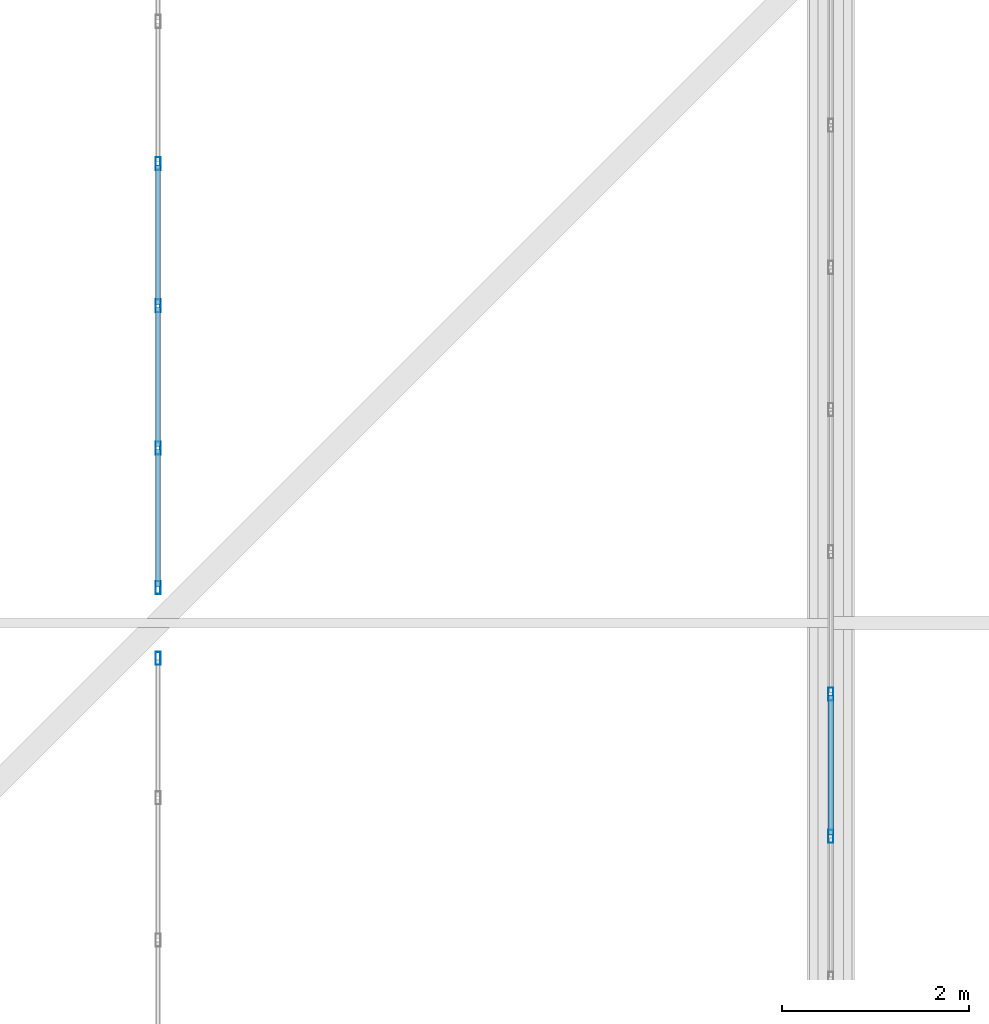
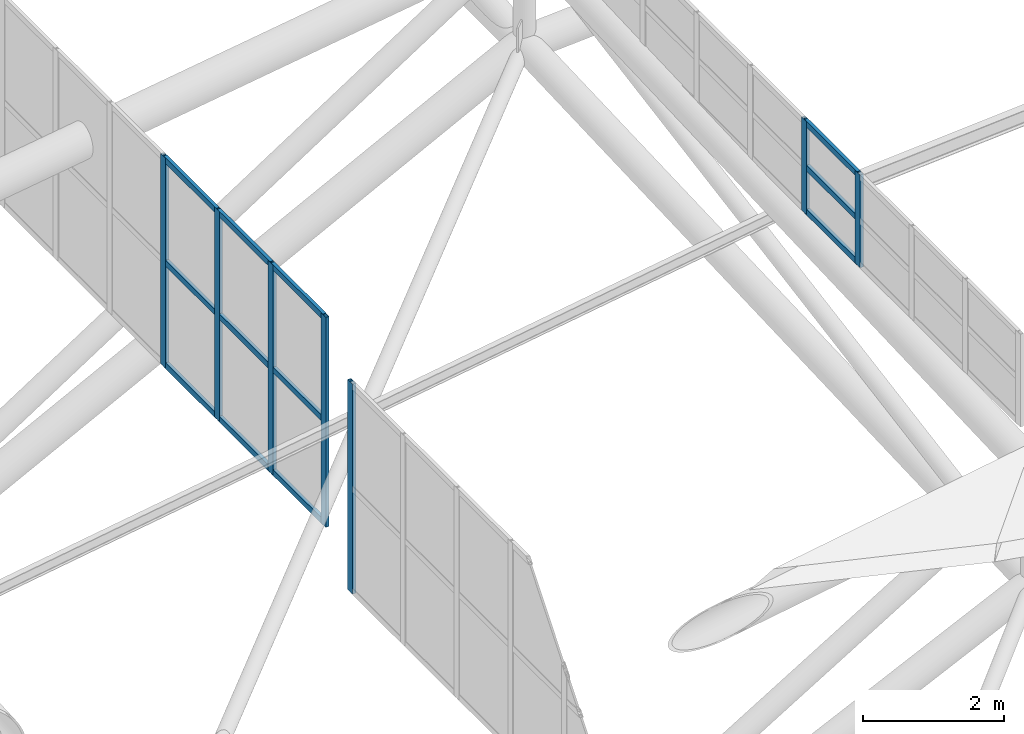
# One storey, part 69 of 397: 19 members, 3 elements without a shape of their own.
"""IFC4 building model written with IfcOpenShell, lengths in metres."""

from ifc_helpers import new_model, si_unit, direction, frame, origin, origin_2d, place, context, subcontext, project, spatial, hollow_rectangle, extrude, material, material_profile, profile_set, type_object, element, aggregate, save


model = new_model("IFC4")

# Units and contexts
model_context = context("Model", 3, precision=1e-05, world=origin(), true_north=direction((0.0, 1.0)))
body_context = subcontext(model_context, "Body", "Model", "MODEL_VIEW")
ifc_project = project(units=[si_unit("LENGTHUNIT", "METRE"), si_unit("AREAUNIT", "SQUARE_METRE"), si_unit("VOLUMEUNIT", "CUBIC_METRE"), si_unit("PLANEANGLEUNIT", "RADIAN"), si_unit("MASSUNIT", "GRAM", prefix="KILO")], contexts=[model_context])

# Site, building, storey
site_placement = place(None, origin())
site = spatial("IfcSite", under=ifc_project, at=site_placement, CompositionType="ELEMENT")
building_placement = place(site_placement, origin())
building = spatial("IfcBuilding", under=site, at=building_placement, Name="Qandorah Velis Arena", CompositionType="ELEMENT")
storey_placement = place(building_placement, frame((0.0, 0.0, 27.5)))
storey = spatial("IfcBuildingStorey", under=building, at=storey_placement, Name="RF", CompositionType="ELEMENT", Elevation=27.5)

# Curtain wall, member
ifc_material_1 = material(Name="Solar-control low-E double glazing", Category="glass")
curtain_wall_type_1 = type_object("IfcCurtainWallType", Name="ARC-CW-SYS08", PredefinedType="USERDEFINED", material=ifc_material_1)
curtain_wall_1_placement = place(storey_placement, origin())
curtain_wall_1 = element("IfcCurtainWall", 1, at=curtain_wall_1_placement, inside=storey, type_object=curtain_wall_type_1, Name="Unitised curtain wall MON-1-2", ObjectType="UNITISED CURTAIN WALL", PredefinedType="USERDEFINED")
ifc_material_2 = material(Name="Champagne-bronze anodized aluminium 6063-T6", Category="aluminium")
ifc_material_profile_1 = material_profile(ifc_material_2, hollow_rectangle(XDim=0.054931640625, YDim=0.139892578125, WallThickness=0.0029296875, at=origin_2d()), Name="ALU MULLION 55x140")
ifc_profile_set_1 = profile_set([ifc_material_profile_1], Name="Champagne-bronze anodized aluminium 6063-T6")
member_type_1 = type_object("IfcMemberType", Name="ARC-CWM-140", PredefinedType="MULLION", material=ifc_profile_set_1)
member_1_placement = place(storey_placement, frame((21.60009765625, 50.0224609375, 5.13427734375), z_axis=(0.0, 0.0, 1.0), x_axis=(-1.0, 0.0, 0.0)))
member_1 = element("IfcMember", 2, at=member_1_placement, type_object=member_type_1, Name="CW08 mullion 10", PredefinedType="MULLION", context=body_context, shape_type="SweptSolid", body=[
    extrude(hollow_rectangle(XDim=0.054931640625, YDim=0.139892578125, WallThickness=0.0029296875, at=origin_2d()), origin(), (0.0, 0.0, 1.0), 3.630126953125),
])
aggregate(curtain_wall_1, [member_1])

# Curtain wall, members
curtain_wall_type_2 = type_object("IfcCurtainWallType", Name="ARC-CW-SYS09", PredefinedType="USERDEFINED", material=ifc_material_1)
curtain_wall_2_placement = place(storey_placement, origin())
curtain_wall_2 = element("IfcCurtainWall", 3, at=curtain_wall_2_placement, inside=storey, type_object=curtain_wall_type_2, Name="Unitised curtain wall MON-1-3", ObjectType="UNITISED CURTAIN WALL", PredefinedType="USERDEFINED")
member_2_placement = place(storey_placement, frame((21.60009765625, 50.777587890625, 5.830322265625), z_axis=(0.0, 0.0, 1.0), x_axis=(-1.0, 0.0, 0.0)))
member_2 = element("IfcMember", 4, at=member_2_placement, type_object=member_type_1, Name="CW09 mullion 1", PredefinedType="MULLION", context=body_context, shape_type="SweptSolid", body=[
    extrude(hollow_rectangle(XDim=0.054931640625, YDim=0.139892578125, WallThickness=0.0029296875, at=origin_2d()), origin(), (0.0, 0.0, 1.0), 3.6298828125),
])
member_3_placement = place(storey_placement, frame((21.60009765625, 52.272216796875, 5.830322265625), z_axis=(0.0, 0.0, 1.0), x_axis=(-1.0, 0.0, 0.0)))
member_3 = element("IfcMember", 5, at=member_3_placement, type_object=member_type_1, Name="CW09 mullion 2", PredefinedType="MULLION", context=body_context, shape_type="SweptSolid", body=[
    extrude(hollow_rectangle(XDim=0.054931640625, YDim=0.139892578125, WallThickness=0.0029296875, at=origin_2d()), origin(), (0.0, 0.0, 1.0), 3.6298828125),
])
member_4_placement = place(storey_placement, frame((21.60009765625, 53.79443359375, 5.830322265625), z_axis=(0.0, 0.0, 1.0), x_axis=(-1.0, 0.0, 0.0)))
member_4 = element("IfcMember", 6, at=member_4_placement, type_object=member_type_1, Name="CW09 mullion 3", PredefinedType="MULLION", context=body_context, shape_type="SweptSolid", body=[
    extrude(hollow_rectangle(XDim=0.054931640625, YDim=0.139892578125, WallThickness=0.0029296875, at=origin_2d()), origin(), (0.0, 0.0, 1.0), 3.6298828125),
])
member_5_placement = place(storey_placement, frame((21.60009765625, 55.316650390625, 5.830322265625), z_axis=(0.0, 0.0, 1.0), x_axis=(-1.0, 0.0, 0.0)))
member_5 = element("IfcMember", 7, at=member_5_placement, type_object=member_type_1, Name="CW09 mullion 4", PredefinedType="MULLION", context=body_context, shape_type="SweptSolid", body=[
    extrude(hollow_rectangle(XDim=0.054931640625, YDim=0.139892578125, WallThickness=0.0029296875, at=origin_2d()), origin(), (0.0, 0.0, 1.0), 3.6298828125),
])

curtain_wall_type_3 = type_object("IfcCurtainWallType", Name="ARC-CW-SYS07", PredefinedType="USERDEFINED", material=ifc_material_1)
curtain_wall_3_placement = place(storey_placement, origin())
curtain_wall_3 = element("IfcCurtainWall", 8, at=curtain_wall_3_placement, inside=storey, type_object=curtain_wall_type_3, Name="Unitised curtain wall OCULUS-1-2", ObjectType="UNITISED CURTAIN WALL", PredefinedType="USERDEFINED")
member_6_placement = place(storey_placement, frame((28.800048828125, 48.11669921875, 9.41259765625), z_axis=(0.0, 0.0, 1.0), x_axis=(-1.0, 0.0, 0.0)))
member_6 = element("IfcMember", 9, at=member_6_placement, type_object=member_type_1, Name="CW07 mullion 4", PredefinedType="MULLION", context=body_context, shape_type="SweptSolid", body=[
    extrude(hollow_rectangle(XDim=0.054931640625, YDim=0.139892578125, WallThickness=0.0029296875, at=origin_2d()), origin(), (0.0, 0.0, 1.0), 1.602294921875),
])
member_7_placement = place(storey_placement, frame((28.800048828125, 49.638916015625, 9.41259765625), z_axis=(0.0, 0.0, 1.0), x_axis=(-1.0, 0.0, 0.0)))
member_7 = element("IfcMember", 10, at=member_7_placement, type_object=member_type_1, Name="CW07 mullion 5", PredefinedType="MULLION", context=body_context, shape_type="SweptSolid", body=[
    extrude(hollow_rectangle(XDim=0.054931640625, YDim=0.139892578125, WallThickness=0.0029296875, at=origin_2d()), origin(), (0.0, 0.0, 1.0), 1.602294921875),
])

# Member
ifc_material_profile_2 = material_profile(ifc_material_2, hollow_rectangle(XDim=0.054931640625, YDim=0.10009765625, WallThickness=0.0029296875, at=origin_2d()), Name="ALU TRANSOM 55x100")
ifc_profile_set_2 = profile_set([ifc_material_profile_2], Name="Champagne-bronze anodized aluminium 6063-T6")
member_type_2 = type_object("IfcMemberType", Name="ARC-CWT-100", PredefinedType="USERDEFINED", material=ifc_profile_set_2)
member_8_placement = place(storey_placement, frame((21.60009765625, 50.79296875, 5.872802734375), z_axis=(0.0, 1.0, 0.0), x_axis=(-1.0, 0.0, 0.0)))
member_8 = element("IfcMember", 11, at=member_8_placement, type_object=member_type_2, Name="CW09 transom 1.1", ObjectType="TRANSOM", PredefinedType="USERDEFINED", context=body_context, shape_type="SweptSolid", body=[
    extrude(hollow_rectangle(XDim=0.054931640625, YDim=0.10009765625, WallThickness=0.0029296875, at=origin_2d()), origin(), (0.0, 0.0, 1.0), 1.463623046875),
])

member_9_placement = place(storey_placement, frame((21.60009765625, 50.79296875, 7.645263671875), z_axis=(0.0, 1.0, 0.0), x_axis=(-1.0, 0.0, 0.0)))
member_9 = element("IfcMember", 12, at=member_9_placement, type_object=member_type_2, Name="CW09 transom 1.2", ObjectType="TRANSOM", PredefinedType="USERDEFINED", context=body_context, shape_type="SweptSolid", body=[
    extrude(hollow_rectangle(XDim=0.054931640625, YDim=0.10009765625, WallThickness=0.0029296875, at=origin_2d()), origin(), (0.0, 0.0, 1.0), 1.463623046875),
])

member_10_placement = place(storey_placement, frame((21.60009765625, 50.79296875, 9.417724609375), z_axis=(0.0, 1.0, 0.0), x_axis=(-1.0, 0.0, 0.0)))
member_10 = element("IfcMember", 13, at=member_10_placement, type_object=member_type_2, Name="CW09 transom 1.3", ObjectType="TRANSOM", PredefinedType="USERDEFINED", context=body_context, shape_type="SweptSolid", body=[
    extrude(hollow_rectangle(XDim=0.054931640625, YDim=0.10009765625, WallThickness=0.0029296875, at=origin_2d()), origin(), (0.0, 0.0, 1.0), 1.463623046875),
])

member_11_placement = place(storey_placement, frame((21.60009765625, 52.28759765625, 5.872802734375), z_axis=(0.0, 1.0, 0.0), x_axis=(-1.0, 0.0, 0.0)))
member_11 = element("IfcMember", 14, at=member_11_placement, type_object=member_type_2, Name="CW09 transom 2.1", ObjectType="TRANSOM", PredefinedType="USERDEFINED", context=body_context, shape_type="SweptSolid", body=[
    extrude(hollow_rectangle(XDim=0.054931640625, YDim=0.10009765625, WallThickness=0.0029296875, at=origin_2d()), origin(), (0.0, 0.0, 1.0), 1.4912109375),
])

member_12_placement = place(storey_placement, frame((21.60009765625, 52.28759765625, 7.645263671875), z_axis=(0.0, 1.0, 0.0), x_axis=(-1.0, 0.0, 0.0)))
member_12 = element("IfcMember", 15, at=member_12_placement, type_object=member_type_2, Name="CW09 transom 2.2", ObjectType="TRANSOM", PredefinedType="USERDEFINED", context=body_context, shape_type="SweptSolid", body=[
    extrude(hollow_rectangle(XDim=0.054931640625, YDim=0.10009765625, WallThickness=0.0029296875, at=origin_2d()), origin(), (0.0, 0.0, 1.0), 1.4912109375),
])

member_13_placement = place(storey_placement, frame((21.60009765625, 52.28759765625, 9.417724609375), z_axis=(0.0, 1.0, 0.0), x_axis=(-1.0, 0.0, 0.0)))
member_13 = element("IfcMember", 16, at=member_13_placement, type_object=member_type_2, Name="CW09 transom 2.3", ObjectType="TRANSOM", PredefinedType="USERDEFINED", context=body_context, shape_type="SweptSolid", body=[
    extrude(hollow_rectangle(XDim=0.054931640625, YDim=0.10009765625, WallThickness=0.0029296875, at=origin_2d()), origin(), (0.0, 0.0, 1.0), 1.4912109375),
])

member_14_placement = place(storey_placement, frame((21.60009765625, 53.809814453125, 5.872802734375), z_axis=(0.0, 1.0, 0.0), x_axis=(-1.0, 0.0, 0.0)))
member_14 = element("IfcMember", 17, at=member_14_placement, type_object=member_type_2, Name="CW09 transom 3.1", ObjectType="TRANSOM", PredefinedType="USERDEFINED", context=body_context, shape_type="SweptSolid", body=[
    extrude(hollow_rectangle(XDim=0.054931640625, YDim=0.10009765625, WallThickness=0.0029296875, at=origin_2d()), origin(), (0.0, 0.0, 1.0), 1.491455078125),
])

member_15_placement = place(storey_placement, frame((21.60009765625, 53.809814453125, 7.645263671875), z_axis=(0.0, 1.0, 0.0), x_axis=(-1.0, 0.0, 0.0)))
member_15 = element("IfcMember", 18, at=member_15_placement, type_object=member_type_2, Name="CW09 transom 3.2", ObjectType="TRANSOM", PredefinedType="USERDEFINED", context=body_context, shape_type="SweptSolid", body=[
    extrude(hollow_rectangle(XDim=0.054931640625, YDim=0.10009765625, WallThickness=0.0029296875, at=origin_2d()), origin(), (0.0, 0.0, 1.0), 1.491455078125),
])

member_16_placement = place(storey_placement, frame((21.60009765625, 53.809814453125, 9.417724609375), z_axis=(0.0, 1.0, 0.0), x_axis=(-1.0, 0.0, 0.0)))
member_16 = element("IfcMember", 19, at=member_16_placement, type_object=member_type_2, Name="CW09 transom 3.3", ObjectType="TRANSOM", PredefinedType="USERDEFINED", context=body_context, shape_type="SweptSolid", body=[
    extrude(hollow_rectangle(XDim=0.054931640625, YDim=0.10009765625, WallThickness=0.0029296875, at=origin_2d()), origin(), (0.0, 0.0, 1.0), 1.491455078125),
])

aggregate(curtain_wall_2, [member_2, member_3, member_4, member_5, member_8, member_9, member_10, member_11, member_12, member_13, member_14, member_15, member_16])

member_17_placement = place(storey_placement, frame((28.800048828125, 48.132080078125, 9.455078125), z_axis=(0.0, 1.0, 0.0), x_axis=(-1.0, 0.0, 0.0)))
member_17 = element("IfcMember", 20, at=member_17_placement, type_object=member_type_2, Name="CW07 transom 4.1", ObjectType="TRANSOM", PredefinedType="USERDEFINED", context=body_context, shape_type="SweptSolid", body=[
    extrude(hollow_rectangle(XDim=0.054931640625, YDim=0.10009765625, WallThickness=0.0029296875, at=origin_2d()), origin(), (0.0, 0.0, 1.0), 1.4912109375),
])

member_18_placement = place(storey_placement, frame((28.800048828125, 48.132080078125, 10.2138671875), z_axis=(0.0, 1.0, 0.0), x_axis=(-1.0, 0.0, 0.0)))
member_18 = element("IfcMember", 21, at=member_18_placement, type_object=member_type_2, Name="CW07 transom 4.2", ObjectType="TRANSOM", PredefinedType="USERDEFINED", context=body_context, shape_type="SweptSolid", body=[
    extrude(hollow_rectangle(XDim=0.054931640625, YDim=0.10009765625, WallThickness=0.0029296875, at=origin_2d()), origin(), (0.0, 0.0, 1.0), 1.4912109375),
])

member_19_placement = place(storey_placement, frame((28.800048828125, 48.132080078125, 10.972412109375), z_axis=(0.0, 1.0, 0.0), x_axis=(-1.0, 0.0, 0.0)))
member_19 = element("IfcMember", 22, at=member_19_placement, type_object=member_type_2, Name="CW07 transom 4.3", ObjectType="TRANSOM", PredefinedType="USERDEFINED", context=body_context, shape_type="SweptSolid", body=[
    extrude(hollow_rectangle(XDim=0.054931640625, YDim=0.10009765625, WallThickness=0.0029296875, at=origin_2d()), origin(), (0.0, 0.0, 1.0), 1.4912109375),
])

aggregate(curtain_wall_3, [member_6, member_7, member_17, member_18, member_19])

save(model, "model.ifc")
